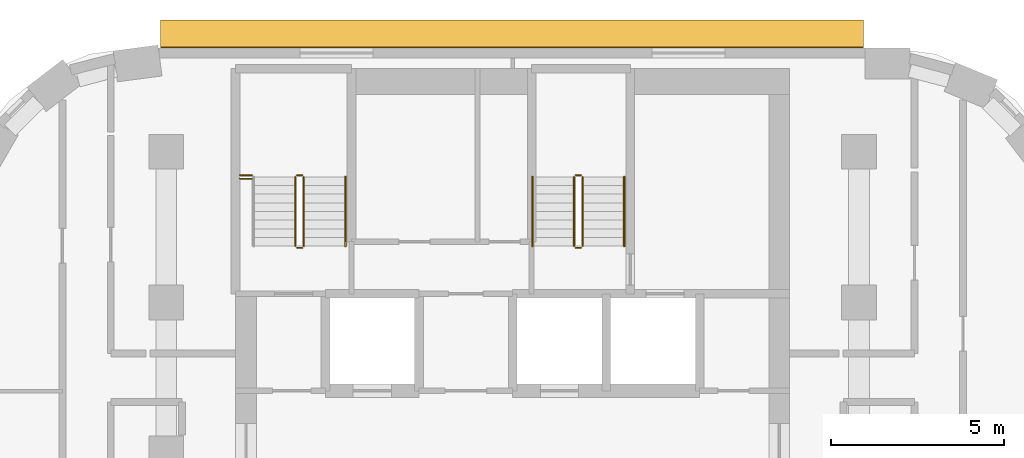
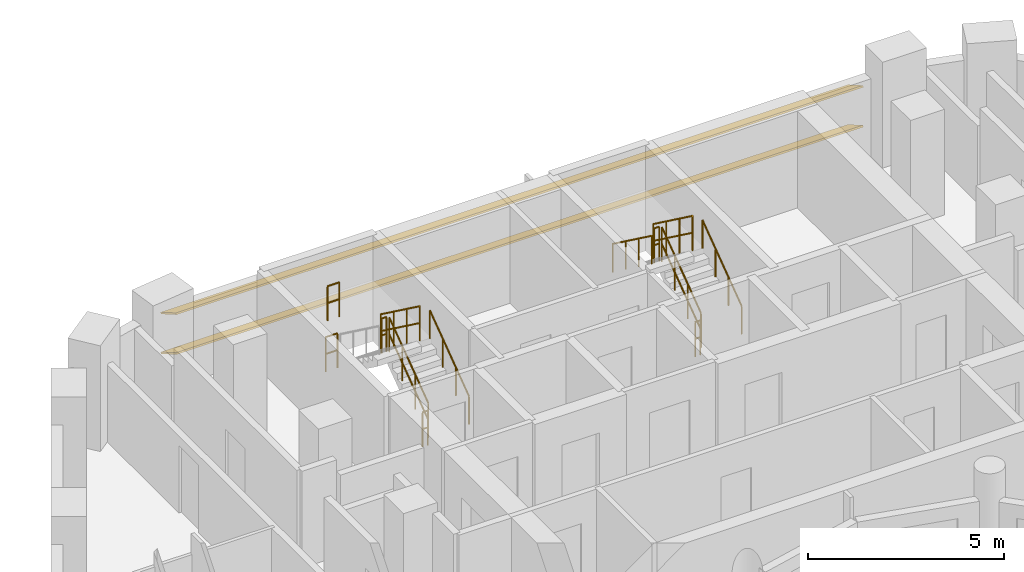
# One storey, part 13 of 13: 13 railings, 2 shading devices.
"""IFC4 building model written with IfcOpenShell, lengths in metres."""

from ifc_helpers import new_model, si_unit, direction, frame, origin, origin_2d, place, context, subcontext, project, spatial, rectangle, circle, extrude, material, material_profile, profile_set, type_object, element, save


model = new_model("IFC4")

# Units and contexts
model_context = context("Model", 3, precision=1e-05, world=origin(), true_north=direction((0.0, 1.0)))
body_context = subcontext(model_context, "Body", "Model", "MODEL_VIEW")
ifc_project = project(units=[si_unit("LENGTHUNIT", "METRE"), si_unit("AREAUNIT", "SQUARE_METRE"), si_unit("VOLUMEUNIT", "CUBIC_METRE"), si_unit("PLANEANGLEUNIT", "RADIAN"), si_unit("MASSUNIT", "GRAM", prefix="KILO")], contexts=[model_context])

# Site, building, storey
site_placement = place(None, origin())
site = spatial("IfcSite", under=ifc_project, at=site_placement, CompositionType="ELEMENT")
building_placement = place(site_placement, origin())
building = spatial("IfcBuilding", under=site, at=building_placement, Name="Nakaniwa Court", CompositionType="ELEMENT")
storey_placement = place(building_placement, frame((0.0, 0.0, 156.89990234375)))
storey = spatial("IfcBuildingStorey", under=building, at=storey_placement, Name="L41", CompositionType="ELEMENT", Elevation=156.89990234375)

# Shading devices
ifc_material_1 = material(Name="Perforated charcoal ceramic louvre blade")
ifc_material_profile = material_profile(ifc_material_1, rectangle(XDim=0.89990234375, YDim=0.050048828125, at=origin_2d()), Name="Perforated ceramic louvre blade")
ifc_profile_set = profile_set([ifc_material_profile], Name="Perforated charcoal ceramic louvre blade")
shading_device_type = type_object("IfcShadingDeviceType", Name="Perforated ceramic louvre blade", PredefinedType="JALOUSIE", material=ifc_profile_set)
for number, where, z_axis, x_axis, name in (
    (1, (90.128662109375, 104.402099609375, 0.550048828125), (-1.0, 0.0, 0.0), (0.0, -0.866025403784, 0.5), "L41 perforated ceramic louvre blade w08 1"),
    (2, (90.128662109375, 104.402099609375, 1.79345703125), (-1.0, 0.0, 0.0), (0.0, -0.866025403784, 0.5), "L41 perforated ceramic louvre blade w08 2"),
):
    element("IfcShadingDevice", number, at=place(storey_placement, frame(where, z_axis=z_axis, x_axis=x_axis)), inside=storey, type_object=shading_device_type, Name=name, PredefinedType="JALOUSIE", context=body_context, shape_type="SweptSolid", body=[
        extrude(rectangle(XDim=0.89990234375, YDim=0.050048828125, at=origin_2d()), origin(), (0.0, 0.0, 1.0), 20.291259765625),
    ])

# Railings
ifc_material_2 = material(Name="Black powder coated steel guard", Category="steel")
railing_type_1 = type_object("IfcRailingType", Name="Stair guard 1100", PredefinedType="GUARDRAIL", material=ifc_material_2)
railing_1_placement = place(storey_placement, frame((73.97509765625, 98.27490234375, 0.183349609375)))
element("IfcRailing", 3, at=railing_1_placement, inside=storey, type_object=railing_type_1, Name="L41 ST1 stair guard 1", PredefinedType="GUARDRAIL", context=body_context, shape_type="SweptSolid", body=[
    extrude(circle(Radius=0.02392578125, at=origin_2d()), frame((0.0, 0.0, 1.076171875), z_axis=(0.0, 0.806379959628, 0.591397802423), x_axis=(-1.0, 0.0, 0.0)), (0.0, 0.0, 1.0), 2.480224609375),
    extrude(circle(Radius=0.02392578125, at=origin_2d()), frame((0.0, 0.0, 0.550048828125), z_axis=(0.0, 0.806379959628, 0.591397802423), x_axis=(-1.0, 0.0, 0.0)), (0.0, 0.0, 1.0), 2.480224609375),
    extrude(circle(Radius=0.02099609375, at=origin_2d()), origin(), (0.0, 0.0, 1.0), 1.052001953125),
    extrude(circle(Radius=0.02099609375, at=origin_2d()), frame((0.0, 0.666748046875, 0.489013671875)), (0.0, 0.0, 1.0), 1.052001953125),
    extrude(circle(Radius=0.02099609375, at=origin_2d()), frame((0.0, 1.333251953125, 0.977783203125)), (0.0, 0.0, 1.0), 1.052001953125),
    extrude(circle(Radius=0.02099609375, at=origin_2d()), frame((0.0, 2.0, 1.466796875)), (0.0, 0.0, 1.0), 1.052001953125),
])
railing_2_placement = place(storey_placement, frame((73.925048828125, 100.324951171875, 1.650146484375)))
element("IfcRailing", 4, at=railing_2_placement, inside=storey, type_object=railing_type_1, Name="L41 ST1 stair guard 2", PredefinedType="GUARDRAIL", context=body_context, shape_type="SweptSolid", body=[
    extrude(circle(Radius=0.02392578125, at=origin_2d()), frame((0.0, 0.0, 1.076171875), z_axis=(-1.0, 0.0, 0.0), x_axis=(0.0, -1.0, 0.0)), (0.0, 0.0, 1.0), 0.150146484375),
    extrude(circle(Radius=0.02392578125, at=origin_2d()), frame((0.0, 0.0, 0.550048828125), z_axis=(-1.0, 0.0, 0.0), x_axis=(0.0, -1.0, 0.0)), (0.0, 0.0, 1.0), 0.150146484375),
    extrude(circle(Radius=0.02099609375, at=origin_2d()), origin(), (0.0, 0.0, 1.0), 1.052001953125),
    extrude(circle(Radius=0.02099609375, at=origin_2d()), frame((-0.150146484375, 0.0, 0.0)), (0.0, 0.0, 1.0), 1.052001953125),
])
railing_3_placement = place(storey_placement, frame((73.72509765625, 100.27490234375, 1.83349609375)))
element("IfcRailing", 5, at=railing_3_placement, inside=storey, type_object=railing_type_1, Name="L41 ST1 stair guard 3", PredefinedType="GUARDRAIL", context=body_context, shape_type="SweptSolid", body=[
    extrude(circle(Radius=0.02392578125, at=origin_2d()), frame((0.0, 0.0, 1.076171875), z_axis=(0.0, -0.806426902644, 0.591333789573), x_axis=(1.0, 0.0, 0.0)), (0.0, 0.0, 1.0), 2.47998046875),
    extrude(circle(Radius=0.02392578125, at=origin_2d()), frame((0.0, 0.0, 0.550048828125), z_axis=(0.0, -0.806426902644, 0.591333789573), x_axis=(1.0, 0.0, 0.0)), (0.0, 0.0, 1.0), 2.47998046875),
    extrude(circle(Radius=0.02099609375, at=origin_2d()), origin(), (0.0, 0.0, 1.0), 1.052001953125),
    extrude(circle(Radius=0.02099609375, at=origin_2d()), frame((0.0, -0.666748046875, 0.48876953125)), (0.0, 0.0, 1.0), 1.052001953125),
    extrude(circle(Radius=0.02099609375, at=origin_2d()), frame((0.0, -1.333251953125, 0.977783203125)), (0.0, 0.0, 1.0), 1.052001953125),
    extrude(circle(Radius=0.02099609375, at=origin_2d()), frame((0.0, -2.0, 1.466552734375)), (0.0, 0.0, 1.0), 1.052001953125),
])
railing_4_placement = place(storey_placement, frame((73.925048828125, 98.22509765625, 0.0)))
element("IfcRailing", 6, at=railing_4_placement, inside=storey, type_object=railing_type_1, Name="L41 ST1 stair guard 4", PredefinedType="GUARDRAIL", context=body_context, shape_type="SweptSolid", body=[
    extrude(circle(Radius=0.02392578125, at=origin_2d()), frame((0.0, 0.0, 1.076171875), z_axis=(-1.0, 0.0, 0.0), x_axis=(0.0, -1.0, 0.0)), (0.0, 0.0, 1.0), 0.150146484375),
    extrude(circle(Radius=0.02392578125, at=origin_2d()), frame((0.0, 0.0, 0.550048828125), z_axis=(-1.0, 0.0, 0.0), x_axis=(0.0, -1.0, 0.0)), (0.0, 0.0, 1.0), 0.150146484375),
    extrude(circle(Radius=0.02099609375, at=origin_2d()), origin(), (0.0, 0.0, 1.0), 1.052001953125),
    extrude(circle(Radius=0.02099609375, at=origin_2d()), frame((-0.150146484375, 0.0, 0.0)), (0.0, 0.0, 1.0), 1.052001953125),
])
for number, where, name in (
    (7, (72.125, 100.324951171875, 1.650146484375), "L41 ST1 landing side guard 1W"),
    (8, (72.125, 100.22509765625, 3.300048828125), "L41 ST1 floor edge guard 1W"),
):
    element("IfcRailing", number, at=place(storey_placement, frame(where)), inside=storey, type_object=railing_type_1, Name=name, PredefinedType="GUARDRAIL", context=body_context, shape_type="SweptSolid", body=[
        extrude(circle(Radius=0.02392578125, at=origin_2d()), frame((0.0, 0.0, 1.076171875), z_axis=(1.0, 0.0, 0.0), x_axis=(0.0, 1.0, 0.0)), (0.0, 0.0, 1.0), 0.35009765625),
        extrude(circle(Radius=0.02392578125, at=origin_2d()), frame((0.0, 0.0, 0.550048828125), z_axis=(1.0, 0.0, 0.0), x_axis=(0.0, 1.0, 0.0)), (0.0, 0.0, 1.0), 0.35009765625),
        extrude(circle(Radius=0.02099609375, at=origin_2d()), origin(), (0.0, 0.0, 1.0), 1.052001953125),
        extrude(circle(Radius=0.02099609375, at=origin_2d()), frame((0.35009765625, 0.0, 0.0)), (0.0, 0.0, 1.0), 1.052001953125),
    ])
railing_5_placement = place(storey_placement, frame((82.02490234375, 98.27490234375, 0.183349609375)))
element("IfcRailing", 9, at=railing_5_placement, inside=storey, type_object=railing_type_1, Name="L41 ST2 stair guard 1", PredefinedType="GUARDRAIL", context=body_context, shape_type="SweptSolid", body=[
    extrude(circle(Radius=0.02392578125, at=origin_2d()), frame((0.0, 0.0, 1.076171875), z_axis=(0.0, 0.806379959628, 0.591397802423), x_axis=(-1.0, 0.0, 0.0)), (0.0, 0.0, 1.0), 2.480224609375),
    extrude(circle(Radius=0.02392578125, at=origin_2d()), frame((0.0, 0.0, 0.550048828125), z_axis=(0.0, 0.806379959628, 0.591397802423), x_axis=(-1.0, 0.0, 0.0)), (0.0, 0.0, 1.0), 2.480224609375),
    extrude(circle(Radius=0.02099609375, at=origin_2d()), origin(), (0.0, 0.0, 1.0), 1.052001953125),
    extrude(circle(Radius=0.02099609375, at=origin_2d()), frame((0.0, 0.666748046875, 0.489013671875)), (0.0, 0.0, 1.0), 1.052001953125),
    extrude(circle(Radius=0.02099609375, at=origin_2d()), frame((0.0, 1.333251953125, 0.977783203125)), (0.0, 0.0, 1.0), 1.052001953125),
    extrude(circle(Radius=0.02099609375, at=origin_2d()), frame((0.0, 2.0, 1.466796875)), (0.0, 0.0, 1.0), 1.052001953125),
])
railing_6_placement = place(storey_placement, frame((81.97509765625, 100.324951171875, 1.650146484375)))
element("IfcRailing", 10, at=railing_6_placement, inside=storey, type_object=railing_type_1, Name="L41 ST2 stair guard 2", PredefinedType="GUARDRAIL", context=body_context, shape_type="SweptSolid", body=[
    extrude(circle(Radius=0.02392578125, at=origin_2d()), frame((0.0, 0.0, 1.076171875), z_axis=(-1.0, 0.0, 0.0), x_axis=(0.0, -1.0, 0.0)), (0.0, 0.0, 1.0), 0.150146484375),
    extrude(circle(Radius=0.02392578125, at=origin_2d()), frame((0.0, 0.0, 0.550048828125), z_axis=(-1.0, 0.0, 0.0), x_axis=(0.0, -1.0, 0.0)), (0.0, 0.0, 1.0), 0.150146484375),
    extrude(circle(Radius=0.02099609375, at=origin_2d()), origin(), (0.0, 0.0, 1.0), 1.052001953125),
    extrude(circle(Radius=0.02099609375, at=origin_2d()), frame((-0.150146484375, 0.0, 0.0)), (0.0, 0.0, 1.0), 1.052001953125),
])
railing_7_placement = place(storey_placement, frame((81.77490234375, 100.27490234375, 1.83349609375)))
element("IfcRailing", 11, at=railing_7_placement, inside=storey, type_object=railing_type_1, Name="L41 ST2 stair guard 3", PredefinedType="GUARDRAIL", context=body_context, shape_type="SweptSolid", body=[
    extrude(circle(Radius=0.02392578125, at=origin_2d()), frame((0.0, 0.0, 1.076171875), z_axis=(0.0, -0.806426902644, 0.591333789573), x_axis=(1.0, 0.0, 0.0)), (0.0, 0.0, 1.0), 2.47998046875),
    extrude(circle(Radius=0.02392578125, at=origin_2d()), frame((0.0, 0.0, 0.550048828125), z_axis=(0.0, -0.806426902644, 0.591333789573), x_axis=(1.0, 0.0, 0.0)), (0.0, 0.0, 1.0), 2.47998046875),
    extrude(circle(Radius=0.02099609375, at=origin_2d()), origin(), (0.0, 0.0, 1.0), 1.052001953125),
    extrude(circle(Radius=0.02099609375, at=origin_2d()), frame((0.0, -0.666748046875, 0.48876953125)), (0.0, 0.0, 1.0), 1.052001953125),
    extrude(circle(Radius=0.02099609375, at=origin_2d()), frame((0.0, -1.333251953125, 0.977783203125)), (0.0, 0.0, 1.0), 1.052001953125),
    extrude(circle(Radius=0.02099609375, at=origin_2d()), frame((0.0, -2.0, 1.466552734375)), (0.0, 0.0, 1.0), 1.052001953125),
])
railing_8_placement = place(storey_placement, frame((81.97509765625, 98.22509765625, 0.0)))
element("IfcRailing", 12, at=railing_8_placement, inside=storey, type_object=railing_type_1, Name="L41 ST2 stair guard 4", PredefinedType="GUARDRAIL", context=body_context, shape_type="SweptSolid", body=[
    extrude(circle(Radius=0.02392578125, at=origin_2d()), frame((0.0, 0.0, 1.076171875), z_axis=(-1.0, 0.0, 0.0), x_axis=(0.0, -1.0, 0.0)), (0.0, 0.0, 1.0), 0.150146484375),
    extrude(circle(Radius=0.02392578125, at=origin_2d()), frame((0.0, 0.0, 0.550048828125), z_axis=(-1.0, 0.0, 0.0), x_axis=(0.0, -1.0, 0.0)), (0.0, 0.0, 1.0), 0.150146484375),
    extrude(circle(Radius=0.02099609375, at=origin_2d()), origin(), (0.0, 0.0, 1.0), 1.052001953125),
    extrude(circle(Radius=0.02099609375, at=origin_2d()), frame((-0.150146484375, 0.0, 0.0)), (0.0, 0.0, 1.0), 1.052001953125),
])
ifc_material_3 = material(Name="Black powder coated steel handrail", Category="steel")
railing_type_2 = type_object("IfcRailingType", Name="Stair handrail 900", PredefinedType="HANDRAIL", material=ifc_material_3)
for number, where, name in (
    (13, (75.175048828125, 98.27490234375, 0.183349609375), "L41 ST1 stair handrail 1"),
    (14, (83.22509765625, 98.27490234375, 0.183349609375), "L41 ST2 stair handrail 1"),
):
    element("IfcRailing", number, at=place(storey_placement, frame(where)), inside=storey, type_object=railing_type_2, Name=name, PredefinedType="HANDRAIL", context=body_context, shape_type="SweptSolid", body=[
        extrude(circle(Radius=0.02392578125, at=origin_2d()), frame((0.0, 0.0, 0.8759765625), z_axis=(0.0, 0.806379959628, 0.591397802423), x_axis=(-1.0, 0.0, 0.0)), (0.0, 0.0, 1.0), 2.480224609375),
        extrude(circle(Radius=0.02099609375, at=origin_2d()), origin(), (0.0, 0.0, 1.0), 0.851806640625),
        extrude(circle(Radius=0.02099609375, at=origin_2d()), frame((0.0, 0.666748046875, 0.489013671875)), (0.0, 0.0, 1.0), 0.851806640625),
        extrude(circle(Radius=0.02099609375, at=origin_2d()), frame((0.0, 1.333251953125, 0.977783203125)), (0.0, 0.0, 1.0), 0.851806640625),
        extrude(circle(Radius=0.02099609375, at=origin_2d()), frame((0.0, 2.0, 1.466796875)), (0.0, 0.0, 1.0), 0.851806640625),
    ])
railing_9_placement = place(storey_placement, frame((80.574951171875, 100.27490234375, 1.83349609375)))
element("IfcRailing", 15, at=railing_9_placement, inside=storey, type_object=railing_type_2, Name="L41 ST2 stair handrail 2", PredefinedType="HANDRAIL", context=body_context, shape_type="SweptSolid", body=[
    extrude(circle(Radius=0.02392578125, at=origin_2d()), frame((0.0, 0.0, 0.8759765625), z_axis=(0.0, -0.806426902644, 0.591333789573), x_axis=(1.0, 0.0, 0.0)), (0.0, 0.0, 1.0), 2.47998046875),
    extrude(circle(Radius=0.02099609375, at=origin_2d()), origin(), (0.0, 0.0, 1.0), 0.851806640625),
    extrude(circle(Radius=0.02099609375, at=origin_2d()), frame((0.0, -0.666748046875, 0.48876953125)), (0.0, 0.0, 1.0), 0.851806640625),
    extrude(circle(Radius=0.02099609375, at=origin_2d()), frame((0.0, -1.333251953125, 0.977783203125)), (0.0, 0.0, 1.0), 0.851806640625),
    extrude(circle(Radius=0.02099609375, at=origin_2d()), frame((0.0, -2.0, 1.466552734375)), (0.0, 0.0, 1.0), 0.851806640625),
])

save(model, "model.ifc")
